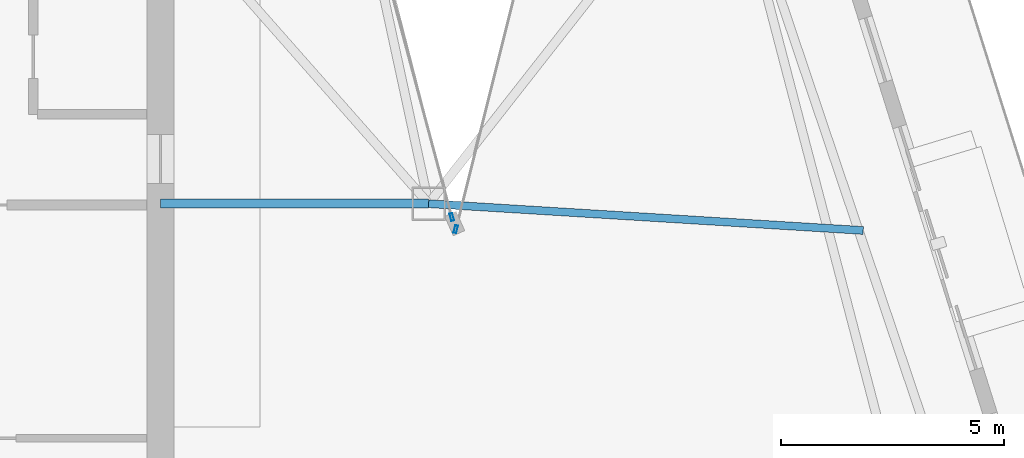
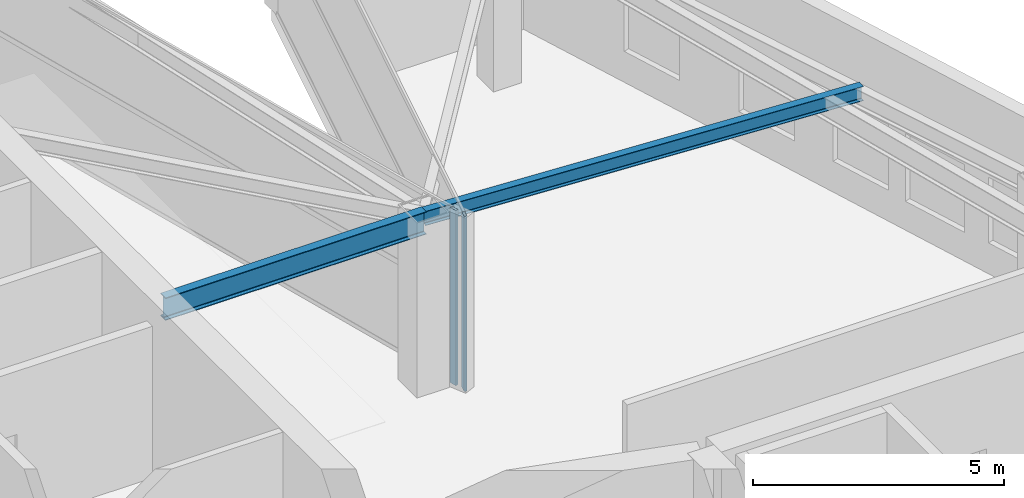
# One storey, part 10 of 25: 2 beams, 2 members, 2 elements without a shape of their own.
"""IFC4 building model written with IfcOpenShell, lengths in metres."""

from ifc_helpers import new_model, si_unit, direction, frame, origin, origin_2d, place, context, subcontext, project, spatial, hollow_rectangle, i_section, extrude, material, layer, layer_set, material_profile, profile_set, type_object, element, aggregate, save


model = new_model("IFC4")

# Units and contexts
model_context = context("Model", 3, precision=1e-05, world=origin(), true_north=direction((0.0, 1.0)))
body_context = subcontext(model_context, "Body", "Model", "MODEL_VIEW")
ifc_project = project(units=[si_unit("LENGTHUNIT", "METRE"), si_unit("AREAUNIT", "SQUARE_METRE"), si_unit("VOLUMEUNIT", "CUBIC_METRE"), si_unit("PLANEANGLEUNIT", "RADIAN"), si_unit("MASSUNIT", "GRAM", prefix="KILO")], contexts=[model_context])

# Site, building, storey
site_placement = place(None, origin())
site = spatial("IfcSite", under=ifc_project, at=site_placement, CompositionType="ELEMENT")
building_placement = place(site_placement, origin())
building = spatial("IfcBuilding", under=site, at=building_placement, Name="Calvorn Quay Hotel", CompositionType="ELEMENT")
storey_placement = place(building_placement, frame((0.0, 0.0, 307.0)))
storey = spatial("IfcBuildingStorey", under=building, at=storey_placement, Name="L76", CompositionType="ELEMENT", Elevation=307.0)

# Beams
ifc_material_1 = material(Name="Steel Q355B", Category="steel")
ifc_material_profile_1 = material_profile(ifc_material_1, i_section(OverallWidth=0.199951171875, OverallDepth=0.550048828125, WebThickness=0.010009765625, FlangeThickness=0.01611328125, FilletRadius=0.01806640625, at=origin_2d()), Name="HN550x200x10x16")
ifc_profile_set_1 = profile_set([ifc_material_profile_1], Name="Steel Q355B")
beam_type_1 = type_object("IfcBeamType", Name="BM-GIRD-UPP", PredefinedType="BEAM", material=ifc_profile_set_1)
beam_1_placement = place(storey_placement, frame((21.0, 25.0, 3.965087890625), z_axis=(-1.0, 0.0, 0.0), x_axis=(0.0, -1.0, 0.0)))
element("IfcBeam", 1, at=beam_1_placement, inside=storey, type_object=beam_type_1, Name="Beam BG-L76-W7", PredefinedType="BEAM", context=body_context, shape_type="SweptSolid", body=[
    extrude(i_section(OverallWidth=0.199951171875, OverallDepth=0.550048828125, WebThickness=0.010009765625, FlangeThickness=0.01611328125, FilletRadius=0.01806640625, at=origin_2d()), origin(), (0.0, 0.0, 1.0), 6.0),
])
ifc_material_2 = material(Name="Steel Q355B", Category="steel")
ifc_material_profile_2 = material_profile(ifc_material_2, i_section(OverallWidth=0.175048828125, OverallDepth=0.35009765625, WebThickness=0.007080078125, FlangeThickness=0.010986328125, FilletRadius=0.013916015625, at=origin_2d()), Name="HN350x175x7x11")
ifc_profile_set_2 = profile_set([ifc_material_profile_2], Name="Steel Q355B")
beam_type_2 = type_object("IfcBeamType", Name="BM-JOIST-SEC", PredefinedType="JOIST", material=ifc_profile_set_2)
beam_2_placement = place(storey_placement, frame((21.0, 25.0, 4.06494140625), z_axis=(0.998102359561, -0.061576617635, 0.0), x_axis=(0.061576617635, 0.998102359561, 0.0)))
element("IfcBeam", 2, at=beam_2_placement, inside=storey, type_object=beam_type_2, Name="Beam BJ-L76-E3", PredefinedType="JOIST", context=body_context, shape_type="SweptSolid", body=[
    extrude(i_section(OverallWidth=0.175048828125, OverallDepth=0.35009765625, WebThickness=0.007080078125, FlangeThickness=0.010986328125, FilletRadius=0.013916015625, at=origin_2d()), origin(), (0.0, 0.0, 1.0), 9.74560546875),
])

# Curtain wall, member
ifc_material_3 = material(Name="Champagne Bronze Anodised Aluminium and Low-E Glass", Category="aluminium")
ifc_layer = layer(ifc_material_3, 0.219970703125)
ifc_layer_set = layer_set([ifc_layer], Name="CW-SYS-Z4")
curtain_wall_type = type_object("IfcCurtainWallType", Name="CW-SYS-Z4", PredefinedType="NOTDEFINED", material=ifc_layer_set)
curtain_wall_1_placement = place(storey_placement, origin())
curtain_wall_1 = element("IfcCurtainWall", 3, at=curtain_wall_1_placement, inside=storey, type_object=curtain_wall_type, Name="Inner Court Curtain Wall L76-NE1", PredefinedType="NOTDEFINED")
ifc_material_4 = material(Name="Champagne Bronze Anodised Aluminium 6063-T6", Category="aluminium")
ifc_material_profile_3 = material_profile(ifc_material_4, hollow_rectangle(XDim=0.06494140625, YDim=0.169921875, WallThickness=0.00341796875, at=origin_2d()), Name="ALU-M170x65x3.5")
ifc_profile_set_3 = profile_set([ifc_material_profile_3], Name="Champagne Bronze Anodised Aluminium 6063-T6")
member_type = type_object("IfcMemberType", Name="CW-SYS-Z4-MUL", PredefinedType="MULLION", material=ifc_profile_set_3)
member_1_placement = place(storey_placement, frame((21.607177734375, 24.42919921875, 0.0), z_axis=(0.0, 0.0, 1.0), x_axis=(0.970142500145, -0.242535625038, 0.0)))
member_1 = element("IfcMember", 4, at=member_1_placement, type_object=member_type, Name="CW-L76-NE1 mullion 2", PredefinedType="MULLION", context=body_context, shape_type="SweptSolid", body=[
    extrude(hollow_rectangle(XDim=0.06494140625, YDim=0.169921875, WallThickness=0.00341796875, at=origin_2d()), origin(), (0.0, 0.0, 1.0), 4.260009765625),
])
aggregate(curtain_wall_1, [member_1])

curtain_wall_2_placement = place(storey_placement, origin())
curtain_wall_2 = element("IfcCurtainWall", 5, at=curtain_wall_2_placement, inside=storey, type_object=curtain_wall_type, Name="Inner Court Curtain Wall L76-IC1", PredefinedType="NOTDEFINED")
member_2_placement = place(storey_placement, frame((21.520263671875, 24.698974609375, 0.0), z_axis=(0.0, 0.0, 1.0), x_axis=(-0.96593652056, -0.25877913024, 0.0)))
member_2 = element("IfcMember", 6, at=member_2_placement, type_object=member_type, Name="CW-L76-IC1 mullion 1", PredefinedType="MULLION", context=body_context, shape_type="SweptSolid", body=[
    extrude(hollow_rectangle(XDim=0.06494140625, YDim=0.169921875, WallThickness=0.00341796875, at=origin_2d()), origin(), (0.0, 0.0, 1.0), 4.260009765625),
])
aggregate(curtain_wall_2, [member_2])

save(model, "model.ifc")
